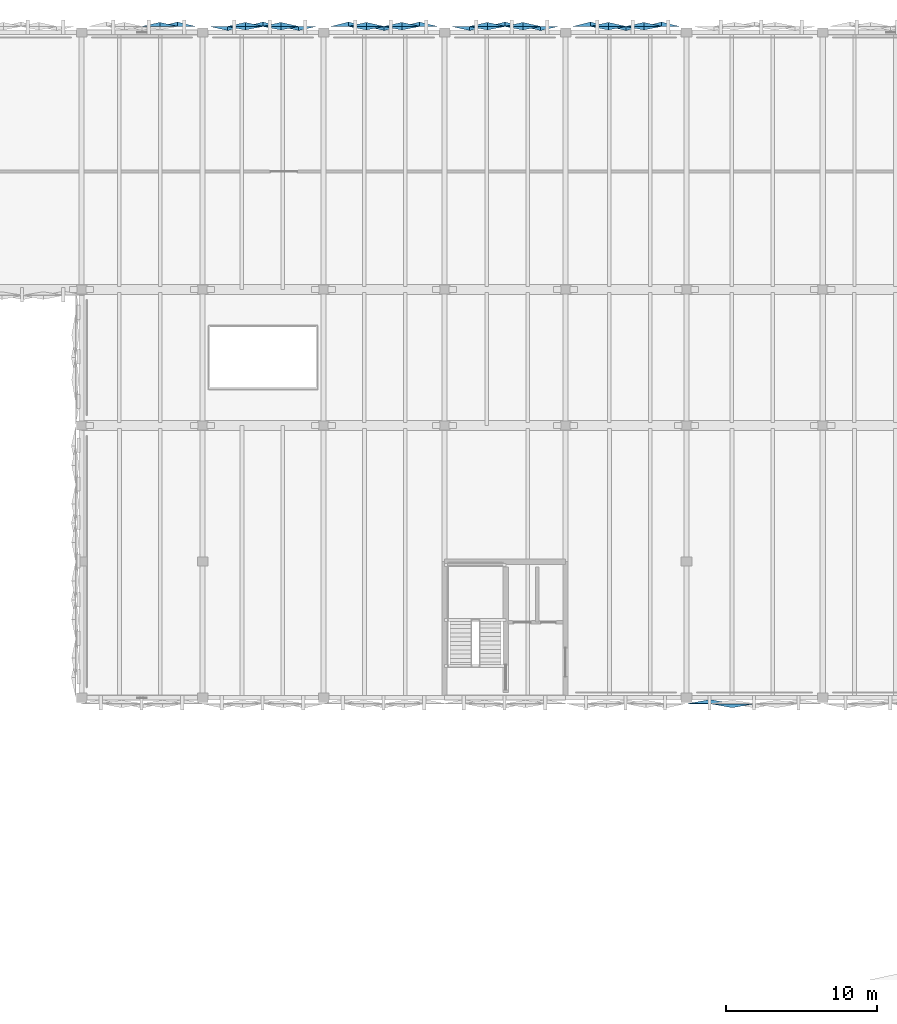
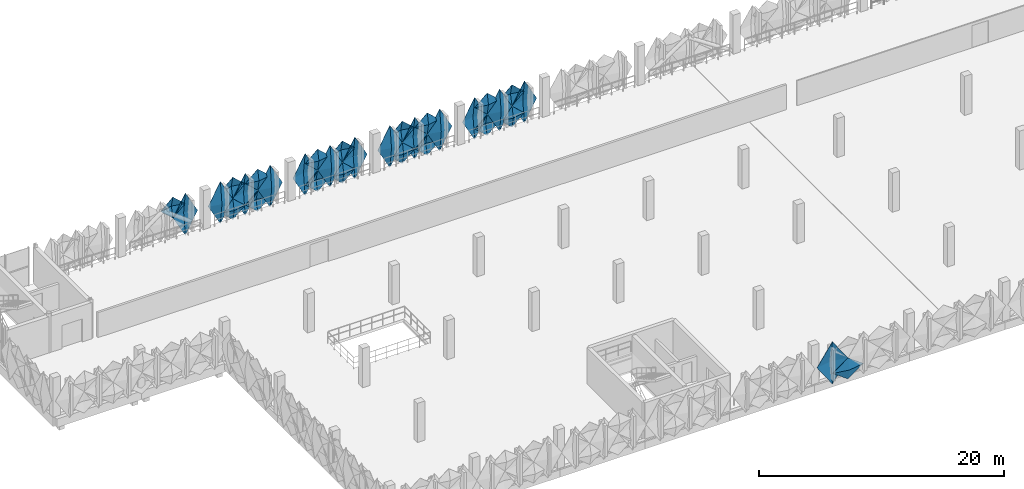
# One storey, part 39 of 52: 32 plates.
"""IFC4 building model written with IfcOpenShell, lengths in metres."""

from ifc_helpers import new_model, si_unit, derived_unit, direction, frame, origin, place, context, subcontext, project, spatial, polygons, material, layer, layer_set, type_object, element, save


model = new_model("IFC4")

# Units and contexts
model_context = context("Model", 3, precision=1e-05, world=origin(), true_north=direction((0.0, 1.0)))
body_context = subcontext(model_context, "Body", "Model", "MODEL_VIEW")
ifc_project = project(units=[si_unit("LENGTHUNIT", "METRE"), si_unit("AREAUNIT", "SQUARE_METRE"), si_unit("VOLUMEUNIT", "CUBIC_METRE"), si_unit("PLANEANGLEUNIT", "RADIAN"), si_unit("MASSUNIT", "GRAM", prefix="KILO"), si_unit("THERMODYNAMICTEMPERATUREUNIT", "KELVIN"), derived_unit("THERMALTRANSMITTANCEUNIT", [(si_unit("POWERUNIT", "WATT"), 1), (si_unit("AREAUNIT", "SQUARE_METRE"), -1), (si_unit("THERMODYNAMICTEMPERATUREUNIT", "KELVIN"), -1)])], contexts=[model_context])

# Site, building, storey
site_placement = place(None, origin())
site = spatial("IfcSite", under=ifc_project, at=site_placement, CompositionType="ELEMENT")
building_placement = place(site_placement, origin())
building = spatial("IfcBuilding", under=site, at=building_placement, Name="Haiyu Intermodal Mobility Hub", CompositionType="ELEMENT")
storey_placement = place(building_placement, frame((0.0, 0.0, 21.199951171875)))
storey = spatial("IfcBuildingStorey", under=building, at=storey_placement, Name="L05", CompositionType="ELEMENT", Elevation=21.199951171875)

# Plates
ifc_material = material(Name="Anodised aluminium 6063-T6", Category="aluminium")
ifc_layer_1 = layer(ifc_material, 0.01806640625)
ifc_layer_set_1 = layer_set([ifc_layer_1], Name="Anodised aluminium 6063-T6")
plate_type_1 = type_object("IfcPlateType", Name="PLT-FC03", PredefinedType="USERDEFINED", material=ifc_layer_set_1)
plate_1_placement = place(storey_placement, origin())
element("IfcPlate", 1, at=plate_1_placement, inside=storey, type_object=plate_type_1, Name="PLT-PYR-0064", ObjectType="FACADE CASSETTE", PredefinedType="USERDEFINED", context=body_context, shape_type="Tessellation", body=[
    polygons([(44.346923828125, 148.39990234375, -0.510009765625), (43.193115234375, 148.39990234375, 1.60009765625), (44.346923828125, 148.39990234375, 3.7099609375), (45.5, 148.39990234375, 1.60009765625), (44.346923828125, 148.679931640625, 1.60009765625), (44.346923828125, 148.3779296875, -0.510009765625), (43.193115234375, 148.3779296875, 1.60009765625), (44.346923828125, 148.3779296875, 3.7099609375), (45.5, 148.3779296875, 1.60009765625), (44.346923828125, 148.657958984375, 1.60009765625)], [[[1, 2, 5]], [[2, 3, 5]], [[3, 4, 5]], [[4, 1, 5]], [[7, 6, 10]], [[8, 7, 10]], [[9, 8, 10]], [[6, 9, 10]], [[1, 6, 7, 2]], [[2, 7, 8, 3]], [[3, 8, 9, 4]], [[4, 9, 6, 1]]], closed=True),
])
plate_2_placement = place(storey_placement, origin())
element("IfcPlate", 2, at=plate_2_placement, inside=storey, type_object=plate_type_1, Name="PLT-PYR-0100", ObjectType="FACADE CASSETTE", PredefinedType="USERDEFINED", context=body_context, shape_type="Tessellation", body=[
    polygons([(51.173095703125, 148.39990234375, -0.52001953125), (50.02001953125, 148.39990234375, 0.530029296875), (51.173095703125, 148.39990234375, 1.580078125), (52.326904296875, 148.39990234375, 0.530029296875), (51.173095703125, 148.659912109375, 0.530029296875), (51.173095703125, 148.3779296875, -0.52001953125), (50.02001953125, 148.3779296875, 0.530029296875), (51.173095703125, 148.3779296875, 1.580078125), (52.326904296875, 148.3779296875, 0.530029296875), (51.173095703125, 148.637939453125, 0.530029296875)], [[[1, 2, 5]], [[2, 3, 5]], [[3, 4, 5]], [[4, 1, 5]], [[7, 6, 10]], [[8, 7, 10]], [[9, 8, 10]], [[6, 9, 10]], [[1, 6, 7, 2]], [[2, 7, 8, 3]], [[3, 8, 9, 4]], [[4, 9, 6, 1]]], closed=True),
])
plate_3_placement = place(storey_placement, origin())
element("IfcPlate", 3, at=plate_3_placement, inside=storey, type_object=plate_type_1, Name="PLT-PYR-0134", ObjectType="FACADE CASSETTE", PredefinedType="USERDEFINED", context=body_context, shape_type="Tessellation", body=[
    polygons([(60.346923828125, 148.39990234375, -0.510009765625), (59.193115234375, 148.39990234375, 1.60009765625), (60.346923828125, 148.39990234375, 3.7099609375), (61.5, 148.39990234375, 1.60009765625), (60.346923828125, 148.679931640625, 1.60009765625), (60.346923828125, 148.3779296875, -0.510009765625), (59.193115234375, 148.3779296875, 1.60009765625), (60.346923828125, 148.3779296875, 3.7099609375), (61.5, 148.3779296875, 1.60009765625), (60.346923828125, 148.657958984375, 1.60009765625)], [[[1, 2, 5]], [[2, 3, 5]], [[3, 4, 5]], [[4, 1, 5]], [[7, 6, 10]], [[8, 7, 10]], [[9, 8, 10]], [[6, 9, 10]], [[1, 6, 7, 2]], [[2, 7, 8, 3]], [[3, 8, 9, 4]], [[4, 9, 6, 1]]], closed=True),
])
plate_4_placement = place(storey_placement, origin())
element("IfcPlate", 4, at=plate_4_placement, inside=storey, type_object=plate_type_1, Name="PLT-PYR-0138", ObjectType="FACADE CASSETTE", PredefinedType="USERDEFINED", context=body_context, shape_type="Tessellation", body=[
    polygons([(56.826904296875, 148.39990234375, -0.52001953125), (55.673095703125, 148.39990234375, 0.530029296875), (56.826904296875, 148.39990234375, 1.580078125), (57.97998046875, 148.39990234375, 0.530029296875), (56.826904296875, 148.659912109375, 0.530029296875), (56.826904296875, 148.3779296875, -0.52001953125), (55.673095703125, 148.3779296875, 0.530029296875), (56.826904296875, 148.3779296875, 1.580078125), (57.97998046875, 148.3779296875, 0.530029296875), (56.826904296875, 148.637939453125, 0.530029296875)], [[[1, 2, 5]], [[2, 3, 5]], [[3, 4, 5]], [[4, 1, 5]], [[7, 6, 10]], [[8, 7, 10]], [[9, 8, 10]], [[6, 9, 10]], [[1, 6, 7, 2]], [[2, 7, 8, 3]], [[3, 8, 9, 4]], [[4, 9, 6, 1]]], closed=True),
])
plate_5_placement = place(storey_placement, origin())
element("IfcPlate", 5, at=plate_5_placement, inside=storey, type_object=plate_type_1, Name="PLT-PYR-0170", ObjectType="FACADE CASSETTE", PredefinedType="USERDEFINED", context=body_context, shape_type="Tessellation", body=[
    polygons([(67.173095703125, 148.39990234375, -0.52001953125), (66.02001953125, 148.39990234375, 0.530029296875), (67.173095703125, 148.39990234375, 1.580078125), (68.326904296875, 148.39990234375, 0.530029296875), (67.173095703125, 148.659912109375, 0.530029296875), (67.173095703125, 148.3779296875, -0.52001953125), (66.02001953125, 148.3779296875, 0.530029296875), (67.173095703125, 148.3779296875, 1.580078125), (68.326904296875, 148.3779296875, 0.530029296875), (67.173095703125, 148.637939453125, 0.530029296875)], [[[1, 2, 5]], [[2, 3, 5]], [[3, 4, 5]], [[4, 1, 5]], [[7, 6, 10]], [[8, 7, 10]], [[9, 8, 10]], [[6, 9, 10]], [[1, 6, 7, 2]], [[2, 7, 8, 3]], [[3, 8, 9, 4]], [[4, 9, 6, 1]]], closed=True),
])
plate_6_placement = place(storey_placement, origin())
element("IfcPlate", 6, at=plate_6_placement, inside=storey, type_object=plate_type_1, Name="PLT-PYR-0204", ObjectType="FACADE CASSETTE", PredefinedType="USERDEFINED", context=body_context, shape_type="Tessellation", body=[
    polygons([(76.346923828125, 148.39990234375, -0.510009765625), (75.193115234375, 148.39990234375, 1.60009765625), (76.346923828125, 148.39990234375, 3.7099609375), (77.5, 148.39990234375, 1.60009765625), (76.346923828125, 148.679931640625, 1.60009765625), (76.346923828125, 148.3779296875, -0.510009765625), (75.193115234375, 148.3779296875, 1.60009765625), (76.346923828125, 148.3779296875, 3.7099609375), (77.5, 148.3779296875, 1.60009765625), (76.346923828125, 148.657958984375, 1.60009765625)], [[[1, 2, 5]], [[2, 3, 5]], [[3, 4, 5]], [[4, 1, 5]], [[7, 6, 10]], [[8, 7, 10]], [[9, 8, 10]], [[6, 9, 10]], [[1, 6, 7, 2]], [[2, 7, 8, 3]], [[3, 8, 9, 4]], [[4, 9, 6, 1]]], closed=True),
])
plate_7_placement = place(storey_placement, origin())
element("IfcPlate", 7, at=plate_7_placement, inside=storey, type_object=plate_type_1, Name="PLT-PYR-0208", ObjectType="FACADE CASSETTE", PredefinedType="USERDEFINED", context=body_context, shape_type="Tessellation", body=[
    polygons([(72.826904296875, 148.39990234375, -0.52001953125), (71.673095703125, 148.39990234375, 0.530029296875), (72.826904296875, 148.39990234375, 1.580078125), (73.97998046875, 148.39990234375, 0.530029296875), (72.826904296875, 148.659912109375, 0.530029296875), (72.826904296875, 148.3779296875, -0.52001953125), (71.673095703125, 148.3779296875, 0.530029296875), (72.826904296875, 148.3779296875, 1.580078125), (73.97998046875, 148.3779296875, 0.530029296875), (72.826904296875, 148.637939453125, 0.530029296875)], [[[1, 2, 5]], [[2, 3, 5]], [[3, 4, 5]], [[4, 1, 5]], [[7, 6, 10]], [[8, 7, 10]], [[9, 8, 10]], [[6, 9, 10]], [[1, 6, 7, 2]], [[2, 7, 8, 3]], [[3, 8, 9, 4]], [[4, 9, 6, 1]]], closed=True),
])
plate_8_placement = place(storey_placement, origin())
element("IfcPlate", 8, at=plate_8_placement, inside=storey, type_object=plate_type_1, Name="PLT-PYR-0811", ObjectType="FACADE CASSETTE", PredefinedType="USERDEFINED", context=body_context, shape_type="Tessellation", body=[
    polygons([(81.027099609375, 103.60009765625, -0.52001953125), (82.47998046875, 103.60009765625, 0.530029296875), (81.027099609375, 103.60009765625, 1.580078125), (79.572998046875, 103.60009765625, 0.530029296875), (81.027099609375, 103.340087890625, 0.530029296875), (81.027099609375, 103.6220703125, -0.52001953125), (82.47998046875, 103.6220703125, 0.530029296875), (81.027099609375, 103.6220703125, 1.580078125), (79.572998046875, 103.6220703125, 0.530029296875), (81.027099609375, 103.362060546875, 0.530029296875)], [[[1, 2, 5]], [[2, 3, 5]], [[3, 4, 5]], [[4, 1, 5]], [[7, 6, 10]], [[8, 7, 10]], [[9, 8, 10]], [[6, 9, 10]], [[1, 6, 7, 2]], [[2, 7, 8, 3]], [[3, 8, 9, 4]], [[4, 9, 6, 1]]], closed=True),
])
ifc_layer_2 = layer(ifc_material, 0.02001953125)
ifc_layer_set_2 = layer_set([ifc_layer_2], Name="Anodised aluminium 6063-T6")
plate_type_2 = type_object("IfcPlateType", Name="PLT-FC04", PredefinedType="USERDEFINED", material=ifc_layer_set_2)
plate_9_placement = place(storey_placement, origin())
element("IfcPlate", 9, at=plate_9_placement, inside=storey, type_object=plate_type_2, Name="PLT-PYR-0099", ObjectType="FACADE CASSETTE", PredefinedType="USERDEFINED", context=body_context, shape_type="Tessellation", body=[
    polygons([(52.346923828125, 148.39990234375, -0.510009765625), (51.193115234375, 148.39990234375, 1.60009765625), (52.346923828125, 148.39990234375, 3.7099609375), (53.5, 148.39990234375, 1.60009765625), (52.346923828125, 148.139892578125, 1.60009765625), (52.346923828125, 148.3779296875, -0.510009765625), (51.193115234375, 148.3779296875, 1.60009765625), (52.346923828125, 148.3779296875, 3.7099609375), (53.5, 148.3779296875, 1.60009765625), (52.346923828125, 148.117919921875, 1.60009765625)], [[[1, 2, 5]], [[2, 3, 5]], [[3, 4, 5]], [[4, 1, 5]], [[7, 6, 10]], [[8, 7, 10]], [[9, 8, 10]], [[6, 9, 10]], [[1, 6, 7, 2]], [[2, 7, 8, 3]], [[3, 8, 9, 4]], [[4, 9, 6, 1]]], closed=True),
])
plate_10_placement = place(storey_placement, origin())
element("IfcPlate", 10, at=plate_10_placement, inside=storey, type_object=plate_type_2, Name="PLT-PYR-0103", ObjectType="FACADE CASSETTE", PredefinedType="USERDEFINED", context=body_context, shape_type="Tessellation", body=[
    polygons([(48.826904296875, 148.39990234375, -0.52001953125), (47.673095703125, 148.39990234375, 0.530029296875), (48.826904296875, 148.39990234375, 1.580078125), (49.97998046875, 148.39990234375, 0.530029296875), (48.826904296875, 148.179931640625, 0.530029296875), (48.826904296875, 148.3779296875, -0.52001953125), (47.673095703125, 148.3779296875, 0.530029296875), (48.826904296875, 148.3779296875, 1.580078125), (49.97998046875, 148.3779296875, 0.530029296875), (48.826904296875, 148.157958984375, 0.530029296875)], [[[1, 2, 5]], [[2, 3, 5]], [[3, 4, 5]], [[4, 1, 5]], [[7, 6, 10]], [[8, 7, 10]], [[9, 8, 10]], [[6, 9, 10]], [[1, 6, 7, 2]], [[2, 7, 8, 3]], [[3, 8, 9, 4]], [[4, 9, 6, 1]]], closed=True),
])
plate_11_placement = place(storey_placement, origin())
element("IfcPlate", 11, at=plate_11_placement, inside=storey, type_object=plate_type_2, Name="PLT-PYR-0135", ObjectType="FACADE CASSETTE", PredefinedType="USERDEFINED", context=body_context, shape_type="Tessellation", body=[
    polygons([(59.173095703125, 148.39990234375, -0.52001953125), (58.02001953125, 148.39990234375, 0.530029296875), (59.173095703125, 148.39990234375, 1.580078125), (60.326904296875, 148.39990234375, 0.530029296875), (59.173095703125, 148.179931640625, 0.530029296875), (59.173095703125, 148.3779296875, -0.52001953125), (58.02001953125, 148.3779296875, 0.530029296875), (59.173095703125, 148.3779296875, 1.580078125), (60.326904296875, 148.3779296875, 0.530029296875), (59.173095703125, 148.157958984375, 0.530029296875)], [[[1, 2, 5]], [[2, 3, 5]], [[3, 4, 5]], [[4, 1, 5]], [[7, 6, 10]], [[8, 7, 10]], [[9, 8, 10]], [[6, 9, 10]], [[1, 6, 7, 2]], [[2, 7, 8, 3]], [[3, 8, 9, 4]], [[4, 9, 6, 1]]], closed=True),
])
plate_12_placement = place(storey_placement, origin())
element("IfcPlate", 12, at=plate_12_placement, inside=storey, type_object=plate_type_2, Name="PLT-PYR-0169", ObjectType="FACADE CASSETTE", PredefinedType="USERDEFINED", context=body_context, shape_type="Tessellation", body=[
    polygons([(68.346923828125, 148.39990234375, -0.510009765625), (67.193115234375, 148.39990234375, 1.60009765625), (68.346923828125, 148.39990234375, 3.7099609375), (69.5, 148.39990234375, 1.60009765625), (68.346923828125, 148.139892578125, 1.60009765625), (68.346923828125, 148.3779296875, -0.510009765625), (67.193115234375, 148.3779296875, 1.60009765625), (68.346923828125, 148.3779296875, 3.7099609375), (69.5, 148.3779296875, 1.60009765625), (68.346923828125, 148.117919921875, 1.60009765625)], [[[1, 2, 5]], [[2, 3, 5]], [[3, 4, 5]], [[4, 1, 5]], [[7, 6, 10]], [[8, 7, 10]], [[9, 8, 10]], [[6, 9, 10]], [[1, 6, 7, 2]], [[2, 7, 8, 3]], [[3, 8, 9, 4]], [[4, 9, 6, 1]]], closed=True),
])
plate_13_placement = place(storey_placement, origin())
element("IfcPlate", 13, at=plate_13_placement, inside=storey, type_object=plate_type_2, Name="PLT-PYR-0173", ObjectType="FACADE CASSETTE", PredefinedType="USERDEFINED", context=body_context, shape_type="Tessellation", body=[
    polygons([(64.826904296875, 148.39990234375, -0.52001953125), (63.673095703125, 148.39990234375, 0.530029296875), (64.826904296875, 148.39990234375, 1.580078125), (65.97998046875, 148.39990234375, 0.530029296875), (64.826904296875, 148.179931640625, 0.530029296875), (64.826904296875, 148.3779296875, -0.52001953125), (63.673095703125, 148.3779296875, 0.530029296875), (64.826904296875, 148.3779296875, 1.580078125), (65.97998046875, 148.3779296875, 0.530029296875), (64.826904296875, 148.157958984375, 0.530029296875)], [[[1, 2, 5]], [[2, 3, 5]], [[3, 4, 5]], [[4, 1, 5]], [[7, 6, 10]], [[8, 7, 10]], [[9, 8, 10]], [[6, 9, 10]], [[1, 6, 7, 2]], [[2, 7, 8, 3]], [[3, 8, 9, 4]], [[4, 9, 6, 1]]], closed=True),
])
plate_14_placement = place(storey_placement, origin())
element("IfcPlate", 14, at=plate_14_placement, inside=storey, type_object=plate_type_2, Name="PLT-PYR-0205", ObjectType="FACADE CASSETTE", PredefinedType="USERDEFINED", context=body_context, shape_type="Tessellation", body=[
    polygons([(75.173095703125, 148.39990234375, -0.52001953125), (74.02001953125, 148.39990234375, 0.530029296875), (75.173095703125, 148.39990234375, 1.580078125), (76.326904296875, 148.39990234375, 0.530029296875), (75.173095703125, 148.179931640625, 0.530029296875), (75.173095703125, 148.3779296875, -0.52001953125), (74.02001953125, 148.3779296875, 0.530029296875), (75.173095703125, 148.3779296875, 1.580078125), (76.326904296875, 148.3779296875, 0.530029296875), (75.173095703125, 148.157958984375, 0.530029296875)], [[[1, 2, 5]], [[2, 3, 5]], [[3, 4, 5]], [[4, 1, 5]], [[7, 6, 10]], [[8, 7, 10]], [[9, 8, 10]], [[6, 9, 10]], [[1, 6, 7, 2]], [[2, 7, 8, 3]], [[3, 8, 9, 4]], [[4, 9, 6, 1]]], closed=True),
])
plate_15_placement = place(storey_placement, origin())
element("IfcPlate", 15, at=plate_15_placement, inside=storey, type_object=plate_type_2, Name="PLT-PYR-0810", ObjectType="FACADE CASSETTE", PredefinedType="USERDEFINED", context=body_context, shape_type="Tessellation", body=[
    polygons([(79.552978515625, 103.60009765625, -0.510009765625), (81.007080078125, 103.60009765625, 1.60009765625), (79.552978515625, 103.60009765625, 3.7099609375), (78.10009765625, 103.60009765625, 1.60009765625), (79.552978515625, 103.860107421875, 1.60009765625), (79.552978515625, 103.6220703125, -0.510009765625), (81.007080078125, 103.6220703125, 1.60009765625), (79.552978515625, 103.6220703125, 3.7099609375), (78.10009765625, 103.6220703125, 1.60009765625), (79.552978515625, 103.882080078125, 1.60009765625)], [[[1, 2, 5]], [[2, 3, 5]], [[3, 4, 5]], [[4, 1, 5]], [[7, 6, 10]], [[8, 7, 10]], [[9, 8, 10]], [[6, 9, 10]], [[1, 6, 7, 2]], [[2, 7, 8, 3]], [[3, 8, 9, 4]], [[4, 9, 6, 1]]], closed=True),
])
ifc_layer_3 = layer(ifc_material, 0.01806640625)
ifc_layer_set_3 = layer_set([ifc_layer_3], Name="Anodised aluminium 6063-T6")
plate_type_3 = type_object("IfcPlateType", Name="PLT-FC05", PredefinedType="USERDEFINED", material=ifc_layer_set_3)
plate_16_placement = place(storey_placement, origin())
element("IfcPlate", 16, at=plate_16_placement, inside=storey, type_object=plate_type_3, Name="PLT-PYR-0066", ObjectType="FACADE CASSETTE", PredefinedType="USERDEFINED", context=body_context, shape_type="Tessellation", body=[
    polygons([(43.173095703125, 148.39990234375, 1.6201171875), (42.02001953125, 148.39990234375, 2.670166015625), (43.173095703125, 148.39990234375, 3.719970703125), (44.326904296875, 148.39990234375, 2.670166015625), (43.173095703125, 148.659912109375, 2.670166015625), (43.173095703125, 148.3779296875, 1.6201171875), (42.02001953125, 148.3779296875, 2.670166015625), (43.173095703125, 148.3779296875, 3.719970703125), (44.326904296875, 148.3779296875, 2.670166015625), (43.173095703125, 148.637939453125, 2.670166015625)], [[[1, 2, 5]], [[2, 3, 5]], [[3, 4, 5]], [[4, 1, 5]], [[7, 6, 10]], [[8, 7, 10]], [[9, 8, 10]], [[6, 9, 10]], [[1, 6, 7, 2]], [[2, 7, 8, 3]], [[3, 8, 9, 4]], [[4, 9, 6, 1]]], closed=True),
])
plate_17_placement = place(storey_placement, origin())
element("IfcPlate", 17, at=plate_17_placement, inside=storey, type_object=plate_type_3, Name="PLT-PYR-0102", ObjectType="FACADE CASSETTE", PredefinedType="USERDEFINED", context=body_context, shape_type="Tessellation", body=[
    polygons([(50.0, 148.39990234375, -0.510009765625), (48.846923828125, 148.39990234375, 1.60009765625), (50.0, 148.39990234375, 3.7099609375), (51.153076171875, 148.39990234375, 1.60009765625), (50.0, 148.679931640625, 1.60009765625), (50.0, 148.3779296875, -0.510009765625), (48.846923828125, 148.3779296875, 1.60009765625), (50.0, 148.3779296875, 3.7099609375), (51.153076171875, 148.3779296875, 1.60009765625), (50.0, 148.657958984375, 1.60009765625)], [[[1, 2, 5]], [[2, 3, 5]], [[3, 4, 5]], [[4, 1, 5]], [[7, 6, 10]], [[8, 7, 10]], [[9, 8, 10]], [[6, 9, 10]], [[1, 6, 7, 2]], [[2, 7, 8, 3]], [[3, 8, 9, 4]], [[4, 9, 6, 1]]], closed=True),
])
plate_18_placement = place(storey_placement, origin())
element("IfcPlate", 18, at=plate_18_placement, inside=storey, type_object=plate_type_3, Name="PLT-PYR-0104", ObjectType="FACADE CASSETTE", PredefinedType="USERDEFINED", context=body_context, shape_type="Tessellation", body=[
    polygons([(48.826904296875, 148.39990234375, 1.6201171875), (47.673095703125, 148.39990234375, 2.670166015625), (48.826904296875, 148.39990234375, 3.719970703125), (49.97998046875, 148.39990234375, 2.670166015625), (48.826904296875, 148.659912109375, 2.670166015625), (48.826904296875, 148.3779296875, 1.6201171875), (47.673095703125, 148.3779296875, 2.670166015625), (48.826904296875, 148.3779296875, 3.719970703125), (49.97998046875, 148.3779296875, 2.670166015625), (48.826904296875, 148.637939453125, 2.670166015625)], [[[1, 2, 5]], [[2, 3, 5]], [[3, 4, 5]], [[4, 1, 5]], [[7, 6, 10]], [[8, 7, 10]], [[9, 8, 10]], [[6, 9, 10]], [[1, 6, 7, 2]], [[2, 7, 8, 3]], [[3, 8, 9, 4]], [[4, 9, 6, 1]]], closed=True),
])
plate_19_placement = place(storey_placement, origin())
element("IfcPlate", 19, at=plate_19_placement, inside=storey, type_object=plate_type_3, Name="PLT-PYR-0136", ObjectType="FACADE CASSETTE", PredefinedType="USERDEFINED", context=body_context, shape_type="Tessellation", body=[
    polygons([(59.173095703125, 148.39990234375, 1.6201171875), (58.02001953125, 148.39990234375, 2.670166015625), (59.173095703125, 148.39990234375, 3.719970703125), (60.326904296875, 148.39990234375, 2.670166015625), (59.173095703125, 148.659912109375, 2.670166015625), (59.173095703125, 148.3779296875, 1.6201171875), (58.02001953125, 148.3779296875, 2.670166015625), (59.173095703125, 148.3779296875, 3.719970703125), (60.326904296875, 148.3779296875, 2.670166015625), (59.173095703125, 148.637939453125, 2.670166015625)], [[[1, 2, 5]], [[2, 3, 5]], [[3, 4, 5]], [[4, 1, 5]], [[7, 6, 10]], [[8, 7, 10]], [[9, 8, 10]], [[6, 9, 10]], [[1, 6, 7, 2]], [[2, 7, 8, 3]], [[3, 8, 9, 4]], [[4, 9, 6, 1]]], closed=True),
])
plate_20_placement = place(storey_placement, origin())
element("IfcPlate", 20, at=plate_20_placement, inside=storey, type_object=plate_type_3, Name="PLT-PYR-0172", ObjectType="FACADE CASSETTE", PredefinedType="USERDEFINED", context=body_context, shape_type="Tessellation", body=[
    polygons([(66.0, 148.39990234375, -0.510009765625), (64.846923828125, 148.39990234375, 1.60009765625), (66.0, 148.39990234375, 3.7099609375), (67.153076171875, 148.39990234375, 1.60009765625), (66.0, 148.679931640625, 1.60009765625), (66.0, 148.3779296875, -0.510009765625), (64.846923828125, 148.3779296875, 1.60009765625), (66.0, 148.3779296875, 3.7099609375), (67.153076171875, 148.3779296875, 1.60009765625), (66.0, 148.657958984375, 1.60009765625)], [[[1, 2, 5]], [[2, 3, 5]], [[3, 4, 5]], [[4, 1, 5]], [[7, 6, 10]], [[8, 7, 10]], [[9, 8, 10]], [[6, 9, 10]], [[1, 6, 7, 2]], [[2, 7, 8, 3]], [[3, 8, 9, 4]], [[4, 9, 6, 1]]], closed=True),
])
plate_21_placement = place(storey_placement, origin())
element("IfcPlate", 21, at=plate_21_placement, inside=storey, type_object=plate_type_3, Name="PLT-PYR-0174", ObjectType="FACADE CASSETTE", PredefinedType="USERDEFINED", context=body_context, shape_type="Tessellation", body=[
    polygons([(64.826904296875, 148.39990234375, 1.6201171875), (63.673095703125, 148.39990234375, 2.670166015625), (64.826904296875, 148.39990234375, 3.719970703125), (65.97998046875, 148.39990234375, 2.670166015625), (64.826904296875, 148.659912109375, 2.670166015625), (64.826904296875, 148.3779296875, 1.6201171875), (63.673095703125, 148.3779296875, 2.670166015625), (64.826904296875, 148.3779296875, 3.719970703125), (65.97998046875, 148.3779296875, 2.670166015625), (64.826904296875, 148.637939453125, 2.670166015625)], [[[1, 2, 5]], [[2, 3, 5]], [[3, 4, 5]], [[4, 1, 5]], [[7, 6, 10]], [[8, 7, 10]], [[9, 8, 10]], [[6, 9, 10]], [[1, 6, 7, 2]], [[2, 7, 8, 3]], [[3, 8, 9, 4]], [[4, 9, 6, 1]]], closed=True),
])
plate_22_placement = place(storey_placement, origin())
element("IfcPlate", 22, at=plate_22_placement, inside=storey, type_object=plate_type_3, Name="PLT-PYR-0206", ObjectType="FACADE CASSETTE", PredefinedType="USERDEFINED", context=body_context, shape_type="Tessellation", body=[
    polygons([(75.173095703125, 148.39990234375, 1.6201171875), (74.02001953125, 148.39990234375, 2.670166015625), (75.173095703125, 148.39990234375, 3.719970703125), (76.326904296875, 148.39990234375, 2.670166015625), (75.173095703125, 148.659912109375, 2.670166015625), (75.173095703125, 148.3779296875, 1.6201171875), (74.02001953125, 148.3779296875, 2.670166015625), (75.173095703125, 148.3779296875, 3.719970703125), (76.326904296875, 148.3779296875, 2.670166015625), (75.173095703125, 148.637939453125, 2.670166015625)], [[[1, 2, 5]], [[2, 3, 5]], [[3, 4, 5]], [[4, 1, 5]], [[7, 6, 10]], [[8, 7, 10]], [[9, 8, 10]], [[6, 9, 10]], [[1, 6, 7, 2]], [[2, 7, 8, 3]], [[3, 8, 9, 4]], [[4, 9, 6, 1]]], closed=True),
])
ifc_layer_4 = layer(ifc_material, 0.02001953125)
ifc_layer_set_4 = layer_set([ifc_layer_4], Name="Anodised aluminium 6063-T6")
plate_type_4 = type_object("IfcPlateType", Name="PLT-FC06", PredefinedType="USERDEFINED", material=ifc_layer_set_4)
plate_23_placement = place(storey_placement, origin())
element("IfcPlate", 23, at=plate_23_placement, inside=storey, type_object=plate_type_4, Name="PLT-PYR-0101", ObjectType="FACADE CASSETTE", PredefinedType="USERDEFINED", context=body_context, shape_type="Tessellation", body=[
    polygons([(51.173095703125, 148.39990234375, 1.6201171875), (50.02001953125, 148.39990234375, 2.670166015625), (51.173095703125, 148.39990234375, 3.719970703125), (52.326904296875, 148.39990234375, 2.670166015625), (51.173095703125, 148.179931640625, 2.670166015625), (51.173095703125, 148.3779296875, 1.6201171875), (50.02001953125, 148.3779296875, 2.670166015625), (51.173095703125, 148.3779296875, 3.719970703125), (52.326904296875, 148.3779296875, 2.670166015625), (51.173095703125, 148.157958984375, 2.670166015625)], [[[1, 2, 5]], [[2, 3, 5]], [[3, 4, 5]], [[4, 1, 5]], [[7, 6, 10]], [[8, 7, 10]], [[9, 8, 10]], [[6, 9, 10]], [[1, 6, 7, 2]], [[2, 7, 8, 3]], [[3, 8, 9, 4]], [[4, 9, 6, 1]]], closed=True),
])
plate_24_placement = place(storey_placement, origin())
element("IfcPlate", 24, at=plate_24_placement, inside=storey, type_object=plate_type_4, Name="PLT-PYR-0137", ObjectType="FACADE CASSETTE", PredefinedType="USERDEFINED", context=body_context, shape_type="Tessellation", body=[
    polygons([(58.0, 148.39990234375, -0.510009765625), (56.846923828125, 148.39990234375, 1.60009765625), (58.0, 148.39990234375, 3.7099609375), (59.153076171875, 148.39990234375, 1.60009765625), (58.0, 148.139892578125, 1.60009765625), (58.0, 148.3779296875, -0.510009765625), (56.846923828125, 148.3779296875, 1.60009765625), (58.0, 148.3779296875, 3.7099609375), (59.153076171875, 148.3779296875, 1.60009765625), (58.0, 148.117919921875, 1.60009765625)], [[[1, 2, 5]], [[2, 3, 5]], [[3, 4, 5]], [[4, 1, 5]], [[7, 6, 10]], [[8, 7, 10]], [[9, 8, 10]], [[6, 9, 10]], [[1, 6, 7, 2]], [[2, 7, 8, 3]], [[3, 8, 9, 4]], [[4, 9, 6, 1]]], closed=True),
])
plate_25_placement = place(storey_placement, origin())
element("IfcPlate", 25, at=plate_25_placement, inside=storey, type_object=plate_type_4, Name="PLT-PYR-0139", ObjectType="FACADE CASSETTE", PredefinedType="USERDEFINED", context=body_context, shape_type="Tessellation", body=[
    polygons([(56.826904296875, 148.39990234375, 1.6201171875), (55.673095703125, 148.39990234375, 2.670166015625), (56.826904296875, 148.39990234375, 3.719970703125), (57.97998046875, 148.39990234375, 2.670166015625), (56.826904296875, 148.179931640625, 2.670166015625), (56.826904296875, 148.3779296875, 1.6201171875), (55.673095703125, 148.3779296875, 2.670166015625), (56.826904296875, 148.3779296875, 3.719970703125), (57.97998046875, 148.3779296875, 2.670166015625), (56.826904296875, 148.157958984375, 2.670166015625)], [[[1, 2, 5]], [[2, 3, 5]], [[3, 4, 5]], [[4, 1, 5]], [[7, 6, 10]], [[8, 7, 10]], [[9, 8, 10]], [[6, 9, 10]], [[1, 6, 7, 2]], [[2, 7, 8, 3]], [[3, 8, 9, 4]], [[4, 9, 6, 1]]], closed=True),
])
plate_26_placement = place(storey_placement, origin())
element("IfcPlate", 26, at=plate_26_placement, inside=storey, type_object=plate_type_4, Name="PLT-PYR-0171", ObjectType="FACADE CASSETTE", PredefinedType="USERDEFINED", context=body_context, shape_type="Tessellation", body=[
    polygons([(67.173095703125, 148.39990234375, 1.6201171875), (66.02001953125, 148.39990234375, 2.670166015625), (67.173095703125, 148.39990234375, 3.719970703125), (68.326904296875, 148.39990234375, 2.670166015625), (67.173095703125, 148.179931640625, 2.670166015625), (67.173095703125, 148.3779296875, 1.6201171875), (66.02001953125, 148.3779296875, 2.670166015625), (67.173095703125, 148.3779296875, 3.719970703125), (68.326904296875, 148.3779296875, 2.670166015625), (67.173095703125, 148.157958984375, 2.670166015625)], [[[1, 2, 5]], [[2, 3, 5]], [[3, 4, 5]], [[4, 1, 5]], [[7, 6, 10]], [[8, 7, 10]], [[9, 8, 10]], [[6, 9, 10]], [[1, 6, 7, 2]], [[2, 7, 8, 3]], [[3, 8, 9, 4]], [[4, 9, 6, 1]]], closed=True),
])
plate_27_placement = place(storey_placement, origin())
element("IfcPlate", 27, at=plate_27_placement, inside=storey, type_object=plate_type_4, Name="PLT-PYR-0207", ObjectType="FACADE CASSETTE", PredefinedType="USERDEFINED", context=body_context, shape_type="Tessellation", body=[
    polygons([(74.0, 148.39990234375, -0.510009765625), (72.846923828125, 148.39990234375, 1.60009765625), (74.0, 148.39990234375, 3.7099609375), (75.153076171875, 148.39990234375, 1.60009765625), (74.0, 148.139892578125, 1.60009765625), (74.0, 148.3779296875, -0.510009765625), (72.846923828125, 148.3779296875, 1.60009765625), (74.0, 148.3779296875, 3.7099609375), (75.153076171875, 148.3779296875, 1.60009765625), (74.0, 148.117919921875, 1.60009765625)], [[[1, 2, 5]], [[2, 3, 5]], [[3, 4, 5]], [[4, 1, 5]], [[7, 6, 10]], [[8, 7, 10]], [[9, 8, 10]], [[6, 9, 10]], [[1, 6, 7, 2]], [[2, 7, 8, 3]], [[3, 8, 9, 4]], [[4, 9, 6, 1]]], closed=True),
])
plate_28_placement = place(storey_placement, origin())
element("IfcPlate", 28, at=plate_28_placement, inside=storey, type_object=plate_type_4, Name="PLT-PYR-0209", ObjectType="FACADE CASSETTE", PredefinedType="USERDEFINED", context=body_context, shape_type="Tessellation", body=[
    polygons([(72.826904296875, 148.39990234375, 1.6201171875), (71.673095703125, 148.39990234375, 2.670166015625), (72.826904296875, 148.39990234375, 3.719970703125), (73.97998046875, 148.39990234375, 2.670166015625), (72.826904296875, 148.179931640625, 2.670166015625), (72.826904296875, 148.3779296875, 1.6201171875), (71.673095703125, 148.3779296875, 2.670166015625), (72.826904296875, 148.3779296875, 3.719970703125), (73.97998046875, 148.3779296875, 2.670166015625), (72.826904296875, 148.157958984375, 2.670166015625)], [[[1, 2, 5]], [[2, 3, 5]], [[3, 4, 5]], [[4, 1, 5]], [[7, 6, 10]], [[8, 7, 10]], [[9, 8, 10]], [[6, 9, 10]], [[1, 6, 7, 2]], [[2, 7, 8, 3]], [[3, 8, 9, 4]], [[4, 9, 6, 1]]], closed=True),
])
ifc_layer_5 = layer(ifc_material, 0.02197265625)
ifc_layer_set_5 = layer_set([ifc_layer_5], Name="Anodised aluminium 6063-T6")
plate_type_5 = type_object("IfcPlateType", Name="PLT-FC07", PredefinedType="USERDEFINED", material=ifc_layer_set_5)
plate_29_placement = place(storey_placement, origin())
element("IfcPlate", 29, at=plate_29_placement, inside=storey, type_object=plate_type_5, Name="PLT-PYR-0140", ObjectType="FACADE CASSETTE", PredefinedType="USERDEFINED", context=body_context, shape_type="Tessellation", body=[
    polygons([(55.653076171875, 148.39990234375, -0.510009765625), (54.5, 148.39990234375, 1.60009765625), (55.653076171875, 148.39990234375, 3.7099609375), (56.806884765625, 148.39990234375, 1.60009765625), (55.653076171875, 148.679931640625, 1.60009765625), (55.653076171875, 148.3779296875, -0.510009765625), (54.5, 148.3779296875, 1.60009765625), (55.653076171875, 148.3779296875, 3.7099609375), (56.806884765625, 148.3779296875, 1.60009765625), (55.653076171875, 148.657958984375, 1.60009765625)], [[[1, 2, 5]], [[2, 3, 5]], [[3, 4, 5]], [[4, 1, 5]], [[7, 6, 10]], [[8, 7, 10]], [[9, 8, 10]], [[6, 9, 10]], [[1, 6, 7, 2]], [[2, 7, 8, 3]], [[3, 8, 9, 4]], [[4, 9, 6, 1]]], closed=True),
])
plate_30_placement = place(storey_placement, origin())
element("IfcPlate", 30, at=plate_30_placement, inside=storey, type_object=plate_type_5, Name="PLT-PYR-0210", ObjectType="FACADE CASSETTE", PredefinedType="USERDEFINED", context=body_context, shape_type="Tessellation", body=[
    polygons([(71.653076171875, 148.39990234375, -0.510009765625), (70.5, 148.39990234375, 1.60009765625), (71.653076171875, 148.39990234375, 3.7099609375), (72.806884765625, 148.39990234375, 1.60009765625), (71.653076171875, 148.679931640625, 1.60009765625), (71.653076171875, 148.3779296875, -0.510009765625), (70.5, 148.3779296875, 1.60009765625), (71.653076171875, 148.3779296875, 3.7099609375), (72.806884765625, 148.3779296875, 1.60009765625), (71.653076171875, 148.657958984375, 1.60009765625)], [[[1, 2, 5]], [[2, 3, 5]], [[3, 4, 5]], [[4, 1, 5]], [[7, 6, 10]], [[8, 7, 10]], [[9, 8, 10]], [[6, 9, 10]], [[1, 6, 7, 2]], [[2, 7, 8, 3]], [[3, 8, 9, 4]], [[4, 9, 6, 1]]], closed=True),
])
ifc_layer_6 = layer(ifc_material, 0.02392578125)
ifc_layer_set_6 = layer_set([ifc_layer_6], Name="Anodised aluminium 6063-T6")
plate_type_6 = type_object("IfcPlateType", Name="PLT-FC08", PredefinedType="USERDEFINED", material=ifc_layer_set_6)
plate_31_placement = place(storey_placement, origin())
element("IfcPlate", 31, at=plate_31_placement, inside=storey, type_object=plate_type_6, Name="PLT-PYR-0105", ObjectType="FACADE CASSETTE", PredefinedType="USERDEFINED", context=body_context, shape_type="Tessellation", body=[
    polygons([(47.653076171875, 148.39990234375, -0.510009765625), (46.5, 148.39990234375, 1.60009765625), (47.653076171875, 148.39990234375, 3.7099609375), (48.806884765625, 148.39990234375, 1.60009765625), (47.653076171875, 148.139892578125, 1.60009765625), (47.653076171875, 148.3779296875, -0.510009765625), (46.5, 148.3779296875, 1.60009765625), (47.653076171875, 148.3779296875, 3.7099609375), (48.806884765625, 148.3779296875, 1.60009765625), (47.653076171875, 148.117919921875, 1.60009765625)], [[[1, 2, 5]], [[2, 3, 5]], [[3, 4, 5]], [[4, 1, 5]], [[7, 6, 10]], [[8, 7, 10]], [[9, 8, 10]], [[6, 9, 10]], [[1, 6, 7, 2]], [[2, 7, 8, 3]], [[3, 8, 9, 4]], [[4, 9, 6, 1]]], closed=True),
])
plate_32_placement = place(storey_placement, origin())
element("IfcPlate", 32, at=plate_32_placement, inside=storey, type_object=plate_type_6, Name="PLT-PYR-0175", ObjectType="FACADE CASSETTE", PredefinedType="USERDEFINED", context=body_context, shape_type="Tessellation", body=[
    polygons([(63.653076171875, 148.39990234375, -0.510009765625), (62.5, 148.39990234375, 1.60009765625), (63.653076171875, 148.39990234375, 3.7099609375), (64.806884765625, 148.39990234375, 1.60009765625), (63.653076171875, 148.139892578125, 1.60009765625), (63.653076171875, 148.3779296875, -0.510009765625), (62.5, 148.3779296875, 1.60009765625), (63.653076171875, 148.3779296875, 3.7099609375), (64.806884765625, 148.3779296875, 1.60009765625), (63.653076171875, 148.117919921875, 1.60009765625)], [[[1, 2, 5]], [[2, 3, 5]], [[3, 4, 5]], [[4, 1, 5]], [[7, 6, 10]], [[8, 7, 10]], [[9, 8, 10]], [[6, 9, 10]], [[1, 6, 7, 2]], [[2, 7, 8, 3]], [[3, 8, 9, 4]], [[4, 9, 6, 1]]], closed=True),
])

save(model, "model.ifc")
